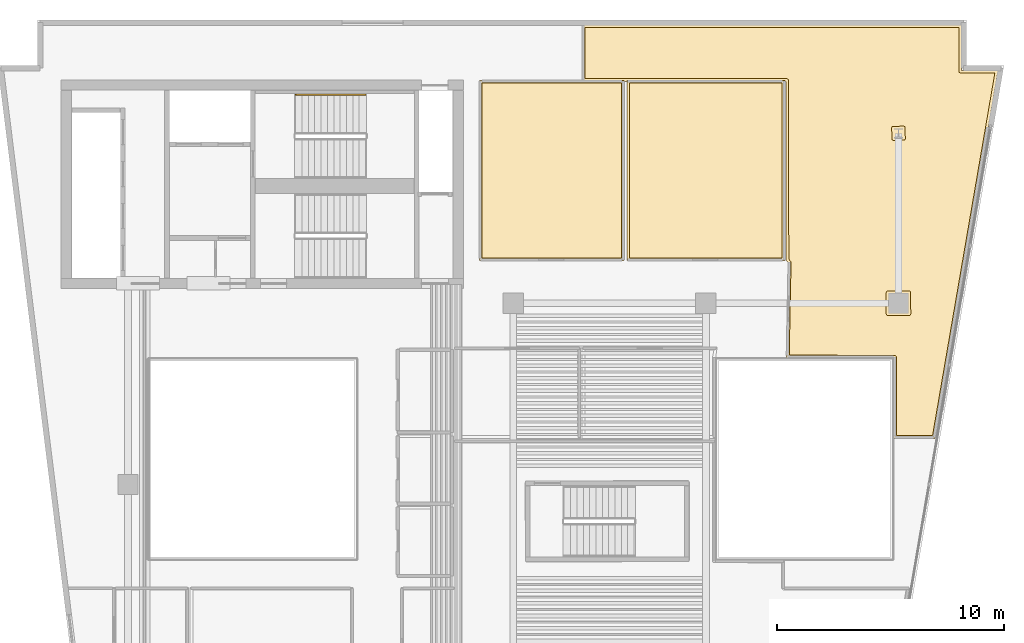
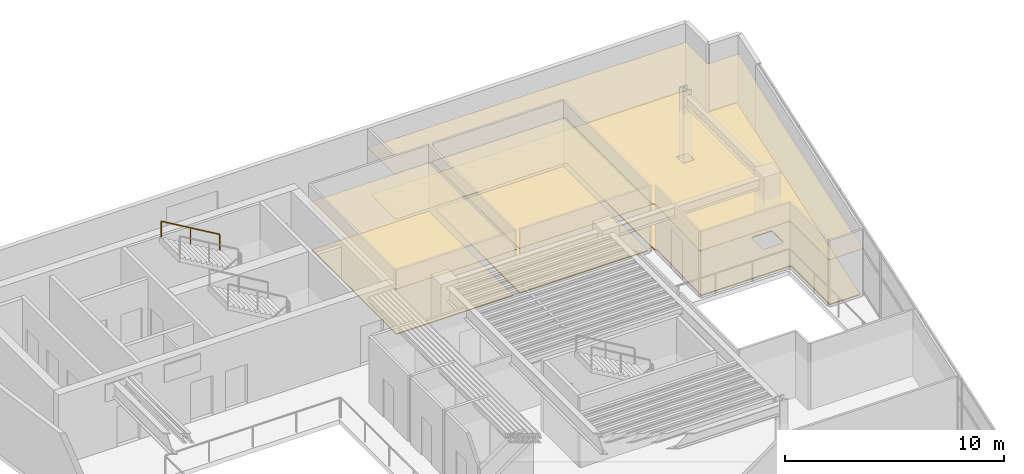
# One storey, part 9 of 9: 6 coverings, 1 railing.
"""IFC4 building model written with IfcOpenShell, lengths in metres."""

from ifc_helpers import new_model, si_unit, direction, frame, origin, origin_2d, place, context, subcontext, project, spatial, polyline, rectangle, outline, extrude, material, layer, layer_set, type_object, element, save


model = new_model("IFC4")

# Units and contexts
model_context = context("Model", 3, precision=1e-05, world=origin(), true_north=direction((0.0, 1.0)))
body_context = subcontext(model_context, "Body", "Model", "MODEL_VIEW")
ifc_project = project(units=[si_unit("LENGTHUNIT", "METRE"), si_unit("AREAUNIT", "SQUARE_METRE"), si_unit("VOLUMEUNIT", "CUBIC_METRE"), si_unit("PLANEANGLEUNIT", "RADIAN"), si_unit("MASSUNIT", "GRAM", prefix="KILO")], contexts=[model_context])

# Site, building, storey
site_placement = place(None, origin())
site = spatial("IfcSite", under=ifc_project, at=site_placement, CompositionType="ELEMENT")
building_placement = place(site_placement, origin())
building = spatial("IfcBuilding", under=site, at=building_placement, Name="Caeloran Harvest Quay", CompositionType="ELEMENT")
storey_placement = place(building_placement, frame((0.0, 0.0, 215.35009765625)))
storey = spatial("IfcBuildingStorey", under=building, at=storey_placement, Name="L51", CompositionType="ELEMENT", Elevation=215.35009765625)

# Coverings
ifc_material_1 = material(Name="Perforated Mineral-Fibre Acoustic Ceiling Tile", Category="ceiling")
ifc_layer_1 = layer(ifc_material_1, 0.0400390625, Name="Perforated Mineral-Fibre Acoustic Ceiling Tile")
ifc_layer_set_1 = layer_set([ifc_layer_1], Name="Perforated Mineral-Fibre Acoustic Ceiling Tile")
covering_type_1 = type_object("IfcCoveringType", Name="COV-CEILING-ACOUSTIC", PredefinedType="CEILING", material=ifc_layer_set_1)
covering_1_placement = place(storey_placement, frame((0.0, 0.0, 2.599853515625)))
element("IfcCovering", 1, at=covering_1_placement, inside=storey, type_object=covering_type_1, Name="L51 Bioinformatics and Crop Phenotyping Laboratory Acoustic Ceiling", PredefinedType="CEILING", context=body_context, shape_type="SweptSolid", body=[
    extrude(outline(polyline([(30.389892578125, 40.840087890625), (30.389892578125, 32.8798828125), (24.010009765625, 32.8798828125), (24.010009765625, 40.840087890625), (30.389892578125, 40.840087890625)])), origin(), (0.0, 0.0, 1.0), 0.0400390625),
])
covering_2_placement = place(storey_placement, frame((0.0, 0.0, 2.599853515625)))
element("IfcCovering", 2, at=covering_2_placement, inside=storey, type_object=covering_type_1, Name="L51 Agri-Genomics Executive Strategy Boardroom Acoustic Ceiling", PredefinedType="CEILING", context=body_context, shape_type="SweptSolid", body=[
    extrude(outline(polyline([(37.489990234375, 40.840087890625), (37.489990234375, 32.8798828125), (30.510009765625, 32.8798828125), (30.510009765625, 40.840087890625), (37.489990234375, 40.840087890625)])), origin(), (0.0, 0.0, 1.0), 0.0400390625),
])
covering_3_placement = place(storey_placement, frame((0.0, 0.0, 2.599853515625)))
element("IfcCovering", 3, at=covering_3_placement, inside=storey, type_object=covering_type_1, Name="Policy Seminar Meeting Hall 8 Acoustic Ceiling", PredefinedType="CEILING", context=body_context, shape_type="SweptSolid", body=[
    extrude(outline(polyline([(45.280029296875, 41.280029296875), (46.895263671875, 41.280029296875), (44.10400390625, 25.0400390625), (42.2900390625, 25.0400390625), (42.2900390625, 28.590087890625), (37.556884765625, 28.590087890625), (37.6396484375, 32.802734375), (37.5400390625, 32.89453125), (37.5400390625, 40.7900390625), (28.5400390625, 40.7900390625), (28.5400390625, 43.280029296875), (45.280029296875, 43.280029296875), (45.280029296875, 41.280029296875)])), origin(), (0.0, 0.0, 1.0), 0.0400390625),
])
ifc_material_2 = material(Name="Calcium-Sulphate Raised Access Floor and Terrazzo Finish", Category="flooring")
ifc_layer_2 = layer(ifc_material_2, 0.050048828125, Name="Calcium-Sulphate Raised Access Floor and Terrazzo Finish")
ifc_layer_set_2 = layer_set([ifc_layer_2], Name="Calcium-Sulphate Raised Access Floor and Terrazzo Finish")
covering_type_2 = type_object("IfcCoveringType", Name="COV-FLOOR-RAISED", PredefinedType="FLOORING", material=ifc_layer_set_2)
covering_4_placement = place(storey_placement, origin())
element("IfcCovering", 4, at=covering_4_placement, inside=storey, type_object=covering_type_2, Name="L51 Bioinformatics and Crop Phenotyping Laboratory Raised Finish Flooring", PredefinedType="FLOORING", context=body_context, shape_type="SweptSolid", body=[
    extrude(outline(polyline([(30.27001953125, 40.719970703125), (30.27001953125, 33.0), (24.1298828125, 33.0), (24.1298828125, 40.719970703125), (30.27001953125, 40.719970703125)])), origin(), (0.0, 0.0, 1.0), 0.0498046875),
])
covering_5_placement = place(storey_placement, origin())
element("IfcCovering", 5, at=covering_5_placement, inside=storey, type_object=covering_type_2, Name="L51 Agri-Genomics Executive Strategy Boardroom Raised Finish Flooring", PredefinedType="FLOORING", context=body_context, shape_type="SweptSolid", body=[
    extrude(outline(polyline([(37.3701171875, 40.719970703125), (37.3701171875, 33.0), (30.6298828125, 33.0), (30.6298828125, 40.719970703125), (37.3701171875, 40.719970703125)])), origin(), (0.0, 0.0, 1.0), 0.0498046875),
])
covering_6_placement = place(storey_placement, origin())
element("IfcCovering", 6, at=covering_6_placement, inside=storey, type_object=covering_type_2, Name="Policy Seminar Meeting Hall 8 Raised Finish Flooring", PredefinedType="FLOORING", context=body_context, shape_type="SweptSolid", body=[
    extrude(outline(polyline([(28.659912109375, 43.159912109375), (45.159912109375, 43.159912109375), (45.17822265625, 41.189208984375), (45.239990234375, 41.159912109375), (46.752685546875, 41.159912109375), (44.002685546875, 25.159912109375), (42.409912109375, 25.159912109375), (42.409912109375, 28.6298828125), (42.36767578125, 28.70068359375), (37.679443359375, 28.7099609375), (37.760009765625, 32.818359375), (37.659912109375, 32.947265625), (37.641845703125, 40.880859375), (37.580078125, 40.909912109375), (28.659912109375, 40.909912109375), (28.659912109375, 43.159912109375)]), holes=[polyline([(43.044921875, 30.534912109375), (43.02685546875, 31.515869140625), (42.972900390625, 31.544677734375), (42.034912109375, 31.544921875), (41.978515625, 31.521484375), (41.955078125, 31.465087890625), (41.955078125, 30.534912109375), (41.978515625, 30.478515625), (42.034912109375, 30.455078125), (42.965087890625, 30.455078125), (43.021484375, 30.478515625), (43.044921875, 30.534912109375)]), polyline([(42.802490234375, 38.254150390625), (42.784912109375, 38.788818359375), (42.730712890625, 38.817626953125), (42.226318359375, 38.7998046875), (42.197021484375, 38.738037109375), (42.215087890625, 38.211181640625), (42.277099609375, 38.181884765625), (42.773681640625, 38.2001953125), (42.802490234375, 38.254150390625)])]), origin(), (0.0, 0.0, 1.0), 0.0498046875),
])

# Railing
ifc_material_3 = material(Name="Brushed Stainless Steel Grade 304", Category="steel")
ifc_layer_3 = layer(ifc_material_3, 0.050048828125, Name="Brushed Stainless Steel Grade 304")
ifc_layer_set_3 = layer_set([ifc_layer_3], Name="Brushed Stainless Steel Grade 304")
railing_type = type_object("IfcRailingType", Name="STAIR-HANDRAIL-900", PredefinedType="HANDRAIL", material=ifc_layer_set_3)
railing_placement = place(storey_placement, frame((18.97998046875, 40.199951171875, 2.139404296875)))
element("IfcRailing", 7, at=railing_placement, inside=storey, type_object=railing_type, Name="L51 ST-C1 stair handrail 2", PredefinedType="HANDRAIL", context=body_context, shape_type="SweptSolid", body=[
    extrude(rectangle(XDim=0.048095703125, YDim=0.048095703125, at=origin_2d()), frame((0.0, 0.0, 0.8759765625), z_axis=(-0.862088758681, 0.0, 0.506757310905), x_axis=(0.0, -1.0, 0.0)), (0.0, 0.0, 1.0), 3.57275390625),
    extrude(rectangle(XDim=0.0419921875, YDim=0.0419921875, at=origin_2d()), origin(), (0.0, 0.0, 1.0), 0.851806640625),
    extrude(rectangle(XDim=0.0419921875, YDim=0.0419921875, at=origin_2d()), frame((-1.5400390625, 0.0, 0.9052734375)), (0.0, 0.0, 1.0), 0.851806640625),
    extrude(rectangle(XDim=0.0419921875, YDim=0.0419921875, at=origin_2d()), frame((-3.080078125, 0.0, 1.810546875)), (0.0, 0.0, 1.0), 0.851806640625),
])

save(model, "model.ifc")
